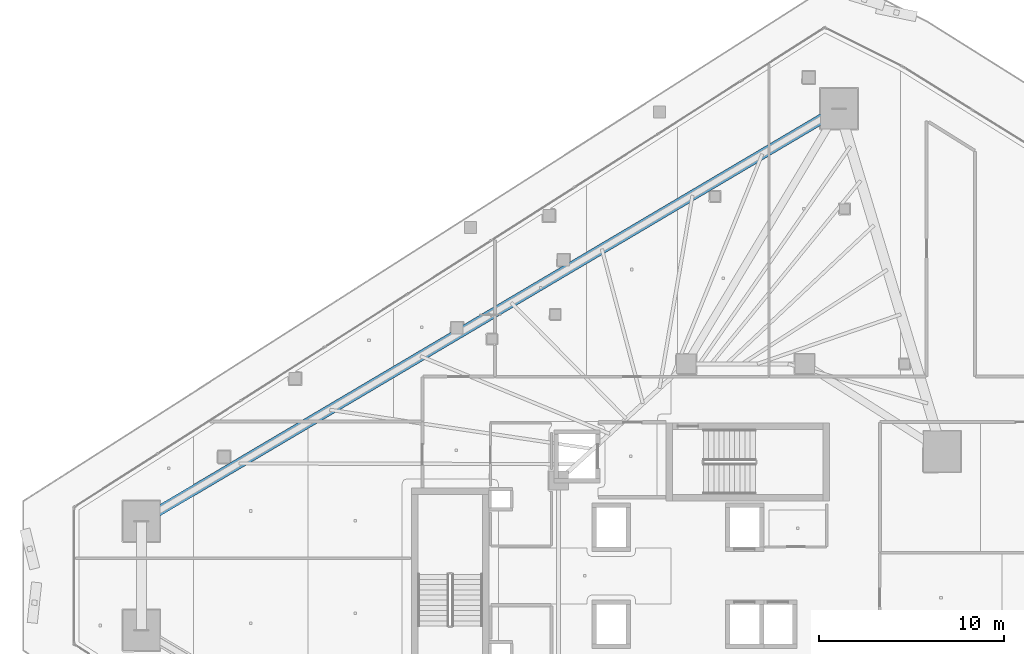
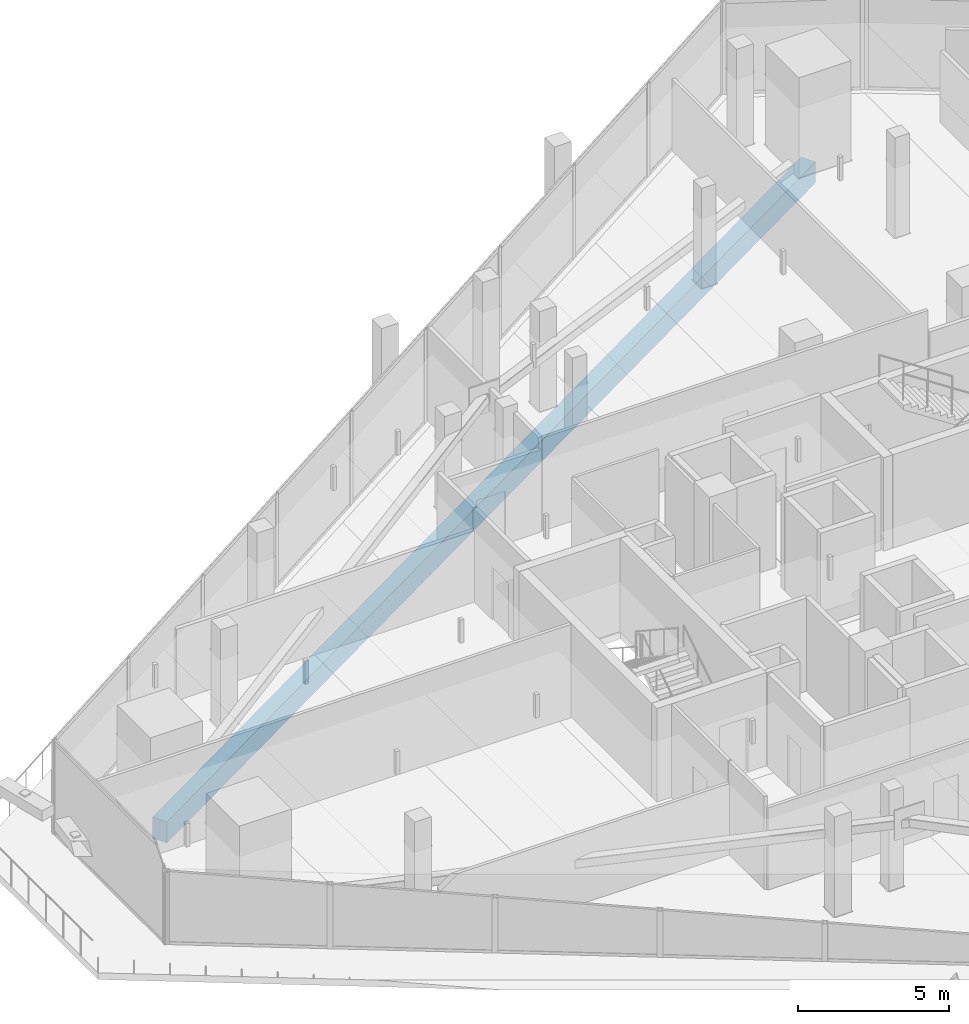
# One storey, part 21 of 43: 1 beam.
"""IFC4 building model written with IfcOpenShell, lengths in metres."""

from ifc_helpers import new_model, si_unit, direction, frame, origin, origin_2d, place, context, subcontext, project, spatial, rectangle, extrude, material, material_profile, profile_set, type_object, element, save


model = new_model("IFC4")

# Units and contexts
model_context = context("Model", 3, precision=1e-05, world=origin(), true_north=direction((0.0, 1.0)))
body_context = subcontext(model_context, "Body", "Model", "MODEL_VIEW")
ifc_project = project(units=[si_unit("LENGTHUNIT", "METRE"), si_unit("AREAUNIT", "SQUARE_METRE"), si_unit("VOLUMEUNIT", "CUBIC_METRE"), si_unit("PLANEANGLEUNIT", "RADIAN"), si_unit("MASSUNIT", "GRAM", prefix="KILO")], contexts=[model_context])

# Site, building, storey
site_placement = place(None, origin())
site = spatial("IfcSite", under=ifc_project, at=site_placement, CompositionType="ELEMENT")
building_placement = place(site_placement, origin())
building = spatial("IfcBuilding", under=site, at=building_placement, Name="Qorvath Tower", CompositionType="ELEMENT")
storey_placement = place(building_placement, frame((0.0, 0.0, 150.300048828125)))
storey = spatial("IfcBuildingStorey", under=building, at=storey_placement, Name="L34", CompositionType="ELEMENT", Elevation=150.300048828125)

# Beam
ifc_material = material(Name="Concrete C50/60", Category="concrete")
ifc_material_profile = material_profile(ifc_material, rectangle(XDim=0.550048828125, YDim=0.85009765625, at=origin_2d()), Name="RCB 850x550")
ifc_profile_set = profile_set([ifc_material_profile], Name="Concrete C50/60")
beam_type = type_object("IfcBeamType", Name="BM-RCB2", PredefinedType="SPANDREL", material=ifc_profile_set)
beam_placement = place(storey_placement, frame((-15.34423828125, 25.24609375, -0.695068359375), z_axis=(-0.860775142889, -0.508985415689, 0.0), x_axis=(0.508985415689, -0.860775142889, 0.0)))
element("IfcBeam", 1, at=beam_placement, inside=storey, type_object=beam_type, Name="Perimeter Loggia Frame Beam MC6-MC1 L34", PredefinedType="SPANDREL", context=body_context, shape_type="SweptSolid", body=[
    extrude(rectangle(XDim=0.550048828125, YDim=0.85009765625, at=origin_2d()), origin(), (0.0, 0.0, 1.0), 43.8037109375),
])

save(model, "model.ifc")
